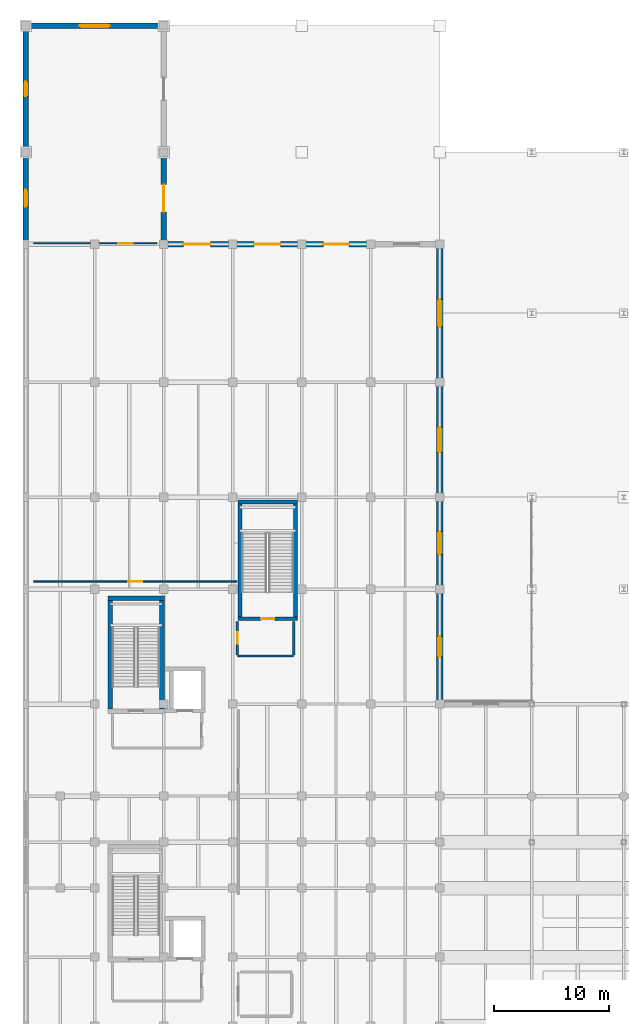
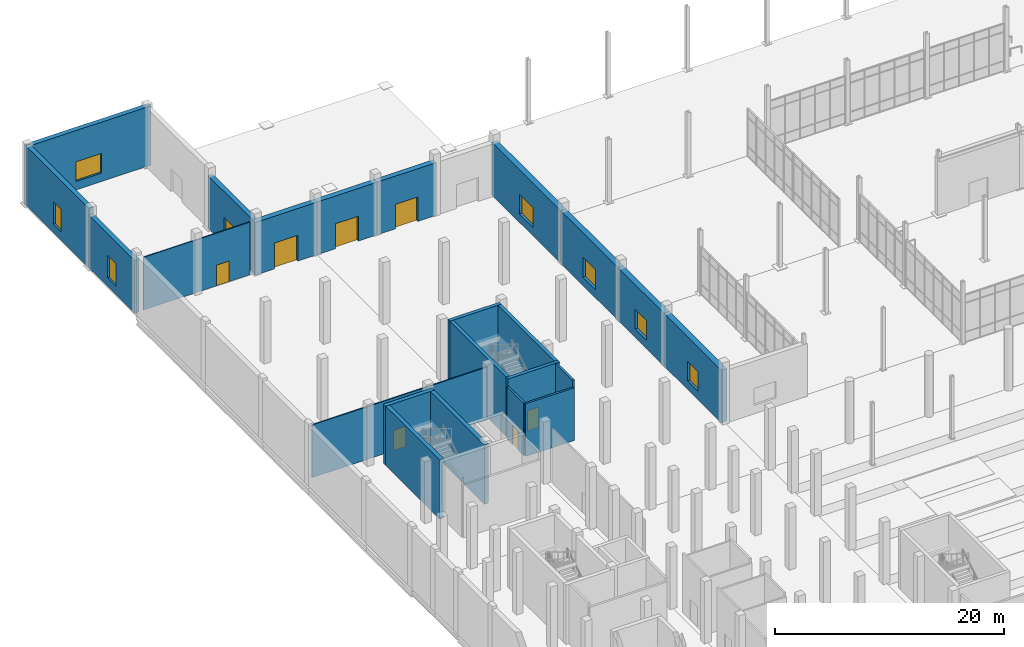
# One storey, part 123 of 140: 23 walls, 8 doors, 7 windows, 15 openings.
"""IFC4 building model written with IfcOpenShell, lengths in metres."""

from ifc_helpers import new_model, si_unit, direction, frame, frame_2d, origin, place, context, subcontext, project, spatial, rectangle, extrude, material, layer, layer_set, type_object, element, fill, save


model = new_model("IFC4")

# Units and contexts
model_context = context("Model", 3, precision=1e-05, world=origin(), true_north=direction((0.0, 1.0)))
body_context = subcontext(model_context, "Body", "Model", "MODEL_VIEW")
ifc_project = project(units=[si_unit("LENGTHUNIT", "METRE"), si_unit("AREAUNIT", "SQUARE_METRE"), si_unit("VOLUMEUNIT", "CUBIC_METRE"), si_unit("PLANEANGLEUNIT", "RADIAN"), si_unit("MASSUNIT", "GRAM", prefix="KILO")], contexts=[model_context])

# Site, building, storey
site_placement = place(None, origin())
site = spatial("IfcSite", under=ifc_project, at=site_placement, CompositionType="ELEMENT")
building_placement = place(site_placement, origin())
building = spatial("IfcBuilding", under=site, at=building_placement, Name="Verrall Gate Interchange", CompositionType="ELEMENT")
storey_placement = place(building_placement, origin())
storey = spatial("IfcBuildingStorey", under=building, at=storey_placement, Name="L01", CompositionType="ELEMENT", Elevation=0.0)

# Wall, opening, door
ifc_material_1 = material(Name="Tyndall Dolomitic Limestone Ashlar Cavity Assembly (U=0.18)", Category="masonry")
ifc_layer_1 = layer(ifc_material_1, 0.4599609375)
ifc_layer_set_1 = layer_set([ifc_layer_1], Name="Tyndall Dolomitic Limestone Ashlar Cavity Assembly (U=0.18)")
wall_type_1 = type_object("IfcWallType", Name="EW-02 Exterior Solid Wall 460", PredefinedType="SOLIDWALL", material=ifc_layer_set_1)
wall_1_placement = place(storey_placement, frame((12.0, 95.991943359375, 0.0), z_axis=(0.0, 0.0, 1.0), x_axis=(0.0, 1.0, 0.0)))
wall_1 = element("IfcWall", 1, at=wall_1_placement, inside=storey, type_object=wall_type_1, Name="L01 Classical Limestone Facade Wall 050", PredefinedType="SOLIDWALL", context=body_context, shape_type="SweptSolid", body=[
    extrude(rectangle(XDim=8.01611328125, YDim=0.4599609375, at=frame_2d((4.008056640625, 0.0))), origin(), (0.0, 0.0, 1.0), 5.60693359375),
])
opening_1_placement = place(wall_1_placement, frame((2.818115234375, 0.0, 0.0)))
opening_1 = element("IfcOpeningElement", 2, at=opening_1_placement, cuts=wall_1, Name="Opening E40", PredefinedType="OPENING", context=body_context, shape_type="SweptSolid", body=[
    extrude(rectangle(XDim=2.3798828125, YDim=2.85009765625, at=frame_2d((1.18994140625, 1.425048828125))), frame((0.0, 0.244873046875, 0.0), z_axis=(0.0, -1.0, 0.0), x_axis=(1.0, 0.0, 0.0)), (0.0, 0.0, 1.0), 0.48974609375),
])
ifc_material_2 = material(Name="Thermally Broken Bronze-Anodized Aluminium Entrance Assembly", Category="aluminium")
door_type_1 = type_object("IfcDoorType", Name="ED-08 Exterior Entrance Door 2380x2850", OperationType="NOTDEFINED", PredefinedType="DOOR", material=ifc_material_2)
door_1_placement = place(opening_1_placement, origin())
door_1 = element("IfcDoor", 3, at=door_1_placement, inside=storey, type_object=door_type_1, Name="Main Interchange Exit Portal E40", OperationType="DOUBLE_DOOR_SINGLE_SWING", OverallHeight=2.85009765625, OverallWidth=2.3798828125, PredefinedType="DOOR", context=body_context, shape_type="SweptSolid", body=[
    extrude(rectangle(XDim=2.3798828125, YDim=2.85009765625, at=frame_2d((1.18994140625, 1.425048828125))), frame((0.0, 0.02490234375, 0.0), z_axis=(0.0, -1.0, 0.0), x_axis=(1.0, 0.0, 0.0)), (0.0, 0.0, 1.0), 0.050048828125),
])
fill(opening_1, door_1)

# Wall, opening, window
wall_2_placement = place(storey_placement, frame((12.25, 115.0, 0.0), z_axis=(0.0, 0.0, 1.0), x_axis=(-1.0, 0.0, 0.0)))
wall_2 = element("IfcWall", 4, at=wall_2_placement, inside=storey, type_object=wall_type_1, Name="L01 Classical Limestone Facade Wall 052", PredefinedType="SOLIDWALL", context=body_context, shape_type="SweptSolid", body=[
    extrude(rectangle(XDim=12.5, YDim=0.4599609375, at=frame_2d((6.25, 0.0))), origin(), (0.0, 0.0, 1.0), 6.320068359375),
])
opening_2_placement = place(wall_2_placement, frame((4.949951171875, 0.0, 0.89990234375)))
opening_2 = element("IfcOpeningElement", 5, at=opening_2_placement, cuts=wall_2, Name="Opening WN-16", PredefinedType="OPENING", context=body_context, shape_type="SweptSolid", body=[
    extrude(rectangle(XDim=2.60009765625, YDim=2.10009765625, at=frame_2d((1.300048828125, 1.050048828125))), frame((0.0, 0.244873046875, 0.0), z_axis=(0.0, -1.0, 0.0), x_axis=(1.0, 0.0, 0.0)), (0.0, 0.0, 1.0), 0.48974609375),
])
ifc_material_3 = material(Name="Triple-Glazed Low-E Argon Bronze-Clad Window Unit (U=1.40)", Category="glass")
window_type_1 = type_object("IfcWindowType", Name="WN-16 Classical Deep-Reveal Window 2600x2100", PartitioningType="SINGLE_PANEL", PredefinedType="WINDOW", material=ifc_material_3)
window_1_placement = place(opening_2_placement, origin())
window_1 = element("IfcWindow", 6, at=window_1_placement, inside=storey, type_object=window_type_1, Name="L01 Classical Window 010 (WN-16)", OverallHeight=2.10009765625, OverallWidth=2.60009765625, PartitioningType="SINGLE_PANEL", PredefinedType="WINDOW", context=body_context, shape_type="SweptSolid", body=[
    extrude(rectangle(XDim=2.60009765625, YDim=2.10009765625, at=frame_2d((1.300048828125, 1.050048828125))), frame((0.0, 0.030029296875, 0.0), z_axis=(0.0, -1.0, 0.0), x_axis=(1.0, 0.0, 0.0)), (0.0, 0.0, 1.0), 0.06005859375),
])
fill(opening_2, window_1)

wall_3_placement = place(storey_placement, frame((0.0, 115.008056640625, 0.0), z_axis=(0.0, 0.0, 1.0), x_axis=(0.0, -1.0, 0.0)))
wall_3 = element("IfcWall", 7, at=wall_3_placement, inside=storey, type_object=wall_type_1, Name="L01 Classical Limestone Facade Wall 053", PredefinedType="SOLIDWALL", context=body_context, shape_type="SweptSolid", body=[
    extrude(rectangle(XDim=11.01611328125, YDim=0.4599609375, at=frame_2d((5.508056640625, 0.0))), origin(), (0.0, 0.0, 1.0), 6.320068359375),
])
opening_3_placement = place(wall_3_placement, frame((4.85791015625, 0.0, 0.89990234375)))
opening_3 = element("IfcOpeningElement", 8, at=opening_3_placement, cuts=wall_3, Name="Opening WN-17", PredefinedType="OPENING", context=body_context, shape_type="SweptSolid", body=[
    extrude(rectangle(XDim=1.300048828125, YDim=2.39990234375, at=frame_2d((0.64990234375, 1.199951171875))), frame((0.0, 0.244873046875, 0.0), z_axis=(0.0, -1.0, 0.0), x_axis=(1.0, 0.0, 0.0)), (0.0, 0.0, 1.0), 0.48974609375),
])
ifc_material_4 = material(Name="Triple-Glazed Low-E Argon Bronze-Clad Window Unit (U=1.40)", Category="glass")
window_type_2 = type_object("IfcWindowType", Name="WN-17 Classical Deep-Reveal Window 1300x2400", PartitioningType="SINGLE_PANEL", PredefinedType="WINDOW", material=ifc_material_4)
window_2_placement = place(opening_3_placement, origin())
window_2 = element("IfcWindow", 9, at=window_2_placement, inside=storey, type_object=window_type_2, Name="L01 Classical Window 011 (WN-17)", OverallHeight=2.39990234375, OverallWidth=1.300048828125, PartitioningType="SINGLE_PANEL", PredefinedType="WINDOW", context=body_context, shape_type="SweptSolid", body=[
    extrude(rectangle(XDim=1.300048828125, YDim=2.39990234375, at=frame_2d((0.64990234375, 1.199951171875))), frame((0.0, 0.030029296875, 0.0), z_axis=(0.0, -1.0, 0.0), x_axis=(1.0, 0.0, 0.0)), (0.0, 0.0, 1.0), 0.06005859375),
])
fill(opening_3, window_2)

wall_4_placement = place(storey_placement, frame((0.0, 104.008056640625, 0.0), z_axis=(0.0, 0.0, 1.0), x_axis=(0.0, -1.0, 0.0)))
wall_4 = element("IfcWall", 10, at=wall_4_placement, inside=storey, type_object=wall_type_1, Name="L01 Classical Limestone Facade Wall 054", PredefinedType="SOLIDWALL", context=body_context, shape_type="SweptSolid", body=[
    extrude(rectangle(XDim=8.01611328125, YDim=0.4599609375, at=frame_2d((4.008056640625, 0.0))), origin(), (0.0, 0.0, 1.0), 5.60693359375),
])
opening_4_placement = place(wall_4_placement, frame((3.258056640625, 0.0, 0.89990234375)))
opening_4 = element("IfcOpeningElement", 11, at=opening_4_placement, cuts=wall_4, Name="Opening WN-18", PredefinedType="OPENING", context=body_context, shape_type="SweptSolid", body=[
    extrude(rectangle(XDim=1.5, YDim=2.39990234375, at=frame_2d((0.75, 1.199951171875))), frame((0.0, 0.244873046875, 0.0), z_axis=(0.0, -1.0, 0.0), x_axis=(1.0, 0.0, 0.0)), (0.0, 0.0, 1.0), 0.48974609375),
])
ifc_material_5 = material(Name="Triple-Glazed Low-E Argon Bronze-Clad Window Unit (U=1.40)", Category="glass")
window_type_3 = type_object("IfcWindowType", Name="WN-18 Classical Deep-Reveal Window 1500x2400", PartitioningType="SINGLE_PANEL", PredefinedType="WINDOW", material=ifc_material_5)
window_3_placement = place(opening_4_placement, origin())
window_3 = element("IfcWindow", 12, at=window_3_placement, inside=storey, type_object=window_type_3, Name="L01 Classical Window 012 (WN-18)", OverallHeight=2.39990234375, OverallWidth=1.5, PartitioningType="SINGLE_PANEL", PredefinedType="WINDOW", context=body_context, shape_type="SweptSolid", body=[
    extrude(rectangle(XDim=1.5, YDim=2.39990234375, at=frame_2d((0.75, 1.199951171875))), frame((0.0, 0.030029296875, 0.0), z_axis=(0.0, -1.0, 0.0), x_axis=(1.0, 0.0, 0.0)), (0.0, 0.0, 1.0), 0.06005859375),
])
fill(opening_4, window_3)

# Wall, opening, door
ifc_material_6 = material(Name="Prairie Charcoal Granite Plinth Rainscreen Assembly (U=0.18)", Category="masonry")
ifc_layer_2 = layer(ifc_material_6, 0.52001953125)
ifc_layer_set_2 = layer_set([ifc_layer_2], Name="Prairie Charcoal Granite Plinth Rainscreen Assembly (U=0.18)")
wall_type_2 = type_object("IfcWallType", Name="EW-03 Exterior Solid Wall 520", PredefinedType="SOLIDWALL", material=ifc_layer_set_2)
wall_5_placement = place(storey_placement, frame((30.008056640625, 96.0, 0.0), z_axis=(0.0, 0.0, 1.0), x_axis=(-1.0, 0.0, 0.0)))
wall_5 = element("IfcWall", 13, at=wall_5_placement, inside=storey, type_object=wall_type_2, Name="L01 Classical Limestone Facade Wall 047", PredefinedType="SOLIDWALL", context=body_context, shape_type="SweptSolid", body=[
    extrude(rectangle(XDim=6.01611328125, YDim=0.52001953125, at=frame_2d((3.008056640625, 0.0))), origin(), (0.0, 0.0, 1.0), 5.60693359375),
])
opening_5_placement = place(wall_5_placement, frame((1.887939453125, 0.0, 0.0)))
opening_5 = element("IfcOpeningElement", 14, at=opening_5_placement, cuts=wall_5, Name="Opening E37", PredefinedType="OPENING", context=body_context, shape_type="SweptSolid", body=[
    extrude(rectangle(XDim=2.239990234375, YDim=2.60009765625, at=frame_2d((1.1201171875, 1.300048828125))), frame((0.0, 0.27490234375, 0.0), z_axis=(0.0, -1.0, 0.0), x_axis=(1.0, 0.0, 0.0)), (0.0, 0.0, 1.0), 0.5498046875),
])
ifc_material_7 = material(Name="Thermally Broken Bronze-Anodized Aluminium Entrance Assembly", Category="aluminium")
door_type_2 = type_object("IfcDoorType", Name="ED-05 Exterior Entrance Door 2240x2600", OperationType="NOTDEFINED", PredefinedType="DOOR", material=ifc_material_7)
door_2_placement = place(opening_5_placement, origin())
door_2 = element("IfcDoor", 15, at=door_2_placement, inside=storey, type_object=door_type_2, Name="Main Interchange Exit Portal E37", OperationType="DOUBLE_DOOR_SINGLE_SWING", OverallHeight=2.60009765625, OverallWidth=2.239990234375, PredefinedType="DOOR", context=body_context, shape_type="SweptSolid", body=[
    extrude(rectangle(XDim=2.239990234375, YDim=2.60009765625, at=frame_2d((1.1201171875, 1.300048828125))), frame((0.0, 0.02490234375, 0.0), z_axis=(0.0, -1.0, 0.0), x_axis=(1.0, 0.0, 0.0)), (0.0, 0.0, 1.0), 0.050048828125),
])
fill(opening_5, door_2)

wall_6_placement = place(storey_placement, frame((24.008056640625, 96.0, 0.0), z_axis=(0.0, 0.0, 1.0), x_axis=(-1.0, 0.0, 0.0)))
wall_6 = element("IfcWall", 16, at=wall_6_placement, inside=storey, type_object=wall_type_2, Name="L01 Classical Limestone Facade Wall 048", PredefinedType="SOLIDWALL", context=body_context, shape_type="SweptSolid", body=[
    extrude(rectangle(XDim=6.01611328125, YDim=0.52001953125, at=frame_2d((3.008056640625, 0.0))), origin(), (0.0, 0.0, 1.0), 5.60693359375),
])
opening_6_placement = place(wall_6_placement, frame((1.85791015625, 0.0, 0.0)))
opening_6 = element("IfcOpeningElement", 17, at=opening_6_placement, cuts=wall_6, Name="Opening E38", PredefinedType="OPENING", context=body_context, shape_type="SweptSolid", body=[
    extrude(rectangle(XDim=2.300048828125, YDim=2.64990234375, at=frame_2d((1.14990234375, 1.324951171875))), frame((0.0, 0.27490234375, 0.0), z_axis=(0.0, -1.0, 0.0), x_axis=(1.0, 0.0, 0.0)), (0.0, 0.0, 1.0), 0.5498046875),
])
ifc_material_8 = material(Name="Thermally Broken Bronze-Anodized Aluminium Entrance Assembly", Category="aluminium")
door_type_3 = type_object("IfcDoorType", Name="ED-06 Exterior Entrance Door 2300x2650", OperationType="NOTDEFINED", PredefinedType="DOOR", material=ifc_material_8)
door_3_placement = place(opening_6_placement, origin())
door_3 = element("IfcDoor", 18, at=door_3_placement, inside=storey, type_object=door_type_3, Name="Main Interchange Exit Portal E38", OperationType="DOUBLE_DOOR_SINGLE_SWING", OverallHeight=2.64990234375, OverallWidth=2.300048828125, PredefinedType="DOOR", context=body_context, shape_type="SweptSolid", body=[
    extrude(rectangle(XDim=2.300048828125, YDim=2.64990234375, at=frame_2d((1.14990234375, 1.324951171875))), frame((0.0, 0.02490234375, 0.0), z_axis=(0.0, -1.0, 0.0), x_axis=(1.0, 0.0, 0.0)), (0.0, 0.0, 1.0), 0.050048828125),
])
fill(opening_6, door_3)

wall_7_placement = place(storey_placement, frame((18.008056640625, 96.0, 0.0), z_axis=(0.0, 0.0, 1.0), x_axis=(-1.0, 0.0, 0.0)))
wall_7 = element("IfcWall", 19, at=wall_7_placement, inside=storey, type_object=wall_type_2, Name="L01 Classical Limestone Facade Wall 049", PredefinedType="SOLIDWALL", context=body_context, shape_type="SweptSolid", body=[
    extrude(rectangle(XDim=6.258056640625, YDim=0.52001953125, at=frame_2d((3.12890625, 0.0))), origin(), (0.0, 0.0, 1.0), 5.60693359375),
])
opening_7_placement = place(wall_7_placement, frame((1.958984375, 0.0, 0.0)))
opening_7 = element("IfcOpeningElement", 20, at=opening_7_placement, cuts=wall_7, Name="Opening E39", PredefinedType="OPENING", context=body_context, shape_type="SweptSolid", body=[
    extrude(rectangle(XDim=2.340087890625, YDim=2.75, at=frame_2d((1.169921875, 1.375))), frame((0.0, 0.27490234375, 0.0), z_axis=(0.0, -1.0, 0.0), x_axis=(1.0, 0.0, 0.0)), (0.0, 0.0, 1.0), 0.5498046875),
])
ifc_material_9 = material(Name="Thermally Broken Bronze-Anodized Aluminium Entrance Assembly", Category="aluminium")
door_type_4 = type_object("IfcDoorType", Name="ED-07 Exterior Entrance Door 2340x2750", OperationType="NOTDEFINED", PredefinedType="DOOR", material=ifc_material_9)
door_4_placement = place(opening_7_placement, origin())
door_4 = element("IfcDoor", 21, at=door_4_placement, inside=storey, type_object=door_type_4, Name="Main Interchange Exit Portal E39", OperationType="DOUBLE_DOOR_SINGLE_SWING", OverallHeight=2.75, OverallWidth=2.340087890625, PredefinedType="DOOR", context=body_context, shape_type="SweptSolid", body=[
    extrude(rectangle(XDim=2.340087890625, YDim=2.75, at=frame_2d((1.169921875, 1.375))), frame((0.0, 0.02490234375, 0.0), z_axis=(0.0, -1.0, 0.0), x_axis=(1.0, 0.0, 0.0)), (0.0, 0.0, 1.0), 0.050048828125),
])
fill(opening_7, door_4)

# Wall, opening, window
ifc_material_10 = material(Name="Tyndall Dolomitic Limestone Ashlar Cavity Assembly (U=0.18)", Category="masonry")
ifc_layer_3 = layer(ifc_material_10, 0.56005859375)
ifc_layer_set_3 = layer_set([ifc_layer_3], Name="Tyndall Dolomitic Limestone Ashlar Cavity Assembly (U=0.18)")
wall_type_3 = type_object("IfcWallType", Name="EW-04 Exterior Solid Wall 560", PredefinedType="SOLIDWALL", material=ifc_layer_set_3)
wall_8_placement = place(storey_placement, frame((36.0, 55.991943359375, 0.0), z_axis=(0.0, 0.0, 1.0), x_axis=(0.0, 1.0, 0.0)))
wall_8 = element("IfcWall", 22, at=wall_8_placement, inside=storey, type_object=wall_type_3, Name="L01 Classical Limestone Facade Wall 042", PredefinedType="SOLIDWALL", context=body_context, shape_type="SweptSolid", body=[
    extrude(rectangle(XDim=10.01611328125, YDim=0.56005859375, at=frame_2d((5.008056640625, 0.0))), origin(), (0.0, 0.0, 1.0), 5.60693359375),
])
opening_8_placement = place(wall_8_placement, frame((4.10791015625, 0.0, 0.89990234375)))
opening_8 = element("IfcOpeningElement", 23, at=opening_8_placement, cuts=wall_8, Name="Opening WN-12", PredefinedType="OPENING", context=body_context, shape_type="SweptSolid", body=[
    extrude(rectangle(XDim=1.800048828125, YDim=2.10009765625, at=frame_2d((0.89990234375, 1.050048828125))), frame((0.0, 0.294921875, 0.0), z_axis=(0.0, -1.0, 0.0), x_axis=(1.0, 0.0, 0.0)), (0.0, 0.0, 1.0), 0.58984375),
])
ifc_material_11 = material(Name="Triple-Glazed Low-E Argon Bronze-Clad Window Unit (U=1.40)", Category="glass")
window_type_4 = type_object("IfcWindowType", Name="WN-12 Classical Deep-Reveal Window 1800x2100", PartitioningType="SINGLE_PANEL", PredefinedType="WINDOW", material=ifc_material_11)
window_4_placement = place(opening_8_placement, origin())
window_4 = element("IfcWindow", 24, at=window_4_placement, inside=storey, type_object=window_type_4, Name="L01 Classical Window 006 (WN-12)", OverallHeight=2.10009765625, OverallWidth=1.800048828125, PartitioningType="SINGLE_PANEL", PredefinedType="WINDOW", context=body_context, shape_type="SweptSolid", body=[
    extrude(rectangle(XDim=1.800048828125, YDim=2.10009765625, at=frame_2d((0.89990234375, 1.050048828125))), frame((0.0, 0.030029296875, 0.0), z_axis=(0.0, -1.0, 0.0), x_axis=(1.0, 0.0, 0.0)), (0.0, 0.0, 1.0), 0.06005859375),
])
fill(opening_8, window_4)

wall_9_placement = place(storey_placement, frame((36.0, 65.991943359375, 0.0), z_axis=(0.0, 0.0, 1.0), x_axis=(0.0, 1.0, 0.0)))
wall_9 = element("IfcWall", 25, at=wall_9_placement, inside=storey, type_object=wall_type_3, Name="L01 Classical Limestone Facade Wall 043", PredefinedType="SOLIDWALL", context=body_context, shape_type="SweptSolid", body=[
    extrude(rectangle(XDim=8.01611328125, YDim=0.56005859375, at=frame_2d((4.008056640625, 0.0))), origin(), (0.0, 0.0, 1.0), 5.60693359375),
])
opening_9_placement = place(wall_9_placement, frame((3.008056640625, 0.0, 0.89990234375)))
opening_9 = element("IfcOpeningElement", 26, at=opening_9_placement, cuts=wall_9, Name="Opening WN-13", PredefinedType="OPENING", context=body_context, shape_type="SweptSolid", body=[
    extrude(rectangle(XDim=2.0, YDim=2.10009765625, at=frame_2d((1.0, 1.050048828125))), frame((0.0, 0.294921875, 0.0), z_axis=(0.0, -1.0, 0.0), x_axis=(1.0, 0.0, 0.0)), (0.0, 0.0, 1.0), 0.58984375),
])
ifc_material_12 = material(Name="Triple-Glazed Low-E Argon Bronze-Clad Window Unit (U=1.40)", Category="glass")
window_type_5 = type_object("IfcWindowType", Name="WN-13 Classical Deep-Reveal Window 2000x2100", PartitioningType="SINGLE_PANEL", PredefinedType="WINDOW", material=ifc_material_12)
window_5_placement = place(opening_9_placement, origin())
window_5 = element("IfcWindow", 27, at=window_5_placement, inside=storey, type_object=window_type_5, Name="L01 Classical Window 007 (WN-13)", OverallHeight=2.10009765625, OverallWidth=2.0, PartitioningType="SINGLE_PANEL", PredefinedType="WINDOW", context=body_context, shape_type="SweptSolid", body=[
    extrude(rectangle(XDim=2.0, YDim=2.10009765625, at=frame_2d((1.0, 1.050048828125))), frame((0.0, 0.030029296875, 0.0), z_axis=(0.0, -1.0, 0.0), x_axis=(1.0, 0.0, 0.0)), (0.0, 0.0, 1.0), 0.06005859375),
])
fill(opening_9, window_5)

wall_10_placement = place(storey_placement, frame((36.0, 73.991943359375, 0.0), z_axis=(0.0, 0.0, 1.0), x_axis=(0.0, 1.0, 0.0)))
wall_10 = element("IfcWall", 28, at=wall_10_placement, inside=storey, type_object=wall_type_3, Name="L01 Classical Limestone Facade Wall 044", PredefinedType="SOLIDWALL", context=body_context, shape_type="SweptSolid", body=[
    extrude(rectangle(XDim=10.01611328125, YDim=0.56005859375, at=frame_2d((5.008056640625, 0.0))), origin(), (0.0, 0.0, 1.0), 5.60693359375),
])
opening_10_placement = place(wall_10_placement, frame((3.907958984375, 0.0, 0.89990234375)))
opening_10 = element("IfcOpeningElement", 29, at=opening_10_placement, cuts=wall_10, Name="Opening WN-14", PredefinedType="OPENING", context=body_context, shape_type="SweptSolid", body=[
    extrude(rectangle(XDim=2.199951171875, YDim=2.10009765625, at=frame_2d((1.10009765625, 1.050048828125))), frame((0.0, 0.294921875, 0.0), z_axis=(0.0, -1.0, 0.0), x_axis=(1.0, 0.0, 0.0)), (0.0, 0.0, 1.0), 0.58984375),
])
ifc_material_13 = material(Name="Triple-Glazed Low-E Argon Bronze-Clad Window Unit (U=1.40)", Category="glass")
window_type_6 = type_object("IfcWindowType", Name="WN-14 Classical Deep-Reveal Window 2200x2100", PartitioningType="SINGLE_PANEL", PredefinedType="WINDOW", material=ifc_material_13)
window_6_placement = place(opening_10_placement, origin())
window_6 = element("IfcWindow", 30, at=window_6_placement, inside=storey, type_object=window_type_6, Name="L01 Classical Window 008 (WN-14)", OverallHeight=2.10009765625, OverallWidth=2.199951171875, PartitioningType="SINGLE_PANEL", PredefinedType="WINDOW", context=body_context, shape_type="SweptSolid", body=[
    extrude(rectangle(XDim=2.199951171875, YDim=2.10009765625, at=frame_2d((1.10009765625, 1.050048828125))), frame((0.0, 0.030029296875, 0.0), z_axis=(0.0, -1.0, 0.0), x_axis=(1.0, 0.0, 0.0)), (0.0, 0.0, 1.0), 0.06005859375),
])
fill(opening_10, window_6)

wall_11_placement = place(storey_placement, frame((36.0, 83.991943359375, 0.0), z_axis=(0.0, 0.0, 1.0), x_axis=(0.0, 1.0, 0.0)))
wall_11 = element("IfcWall", 31, at=wall_11_placement, inside=storey, type_object=wall_type_3, Name="L01 Classical Limestone Facade Wall 045", PredefinedType="SOLIDWALL", context=body_context, shape_type="SweptSolid", body=[
    extrude(rectangle(XDim=12.01611328125, YDim=0.56005859375, at=frame_2d((6.008056640625, 0.0))), origin(), (0.0, 0.0, 1.0), 5.60693359375),
])
opening_11_placement = place(wall_11_placement, frame((4.80810546875, 0.0, 0.89990234375)))
opening_11 = element("IfcOpeningElement", 32, at=opening_11_placement, cuts=wall_11, Name="Opening WN-15", PredefinedType="OPENING", context=body_context, shape_type="SweptSolid", body=[
    extrude(rectangle(XDim=2.39990234375, YDim=2.10009765625, at=frame_2d((1.199951171875, 1.050048828125))), frame((0.0, 0.294921875, 0.0), z_axis=(0.0, -1.0, 0.0), x_axis=(1.0, 0.0, 0.0)), (0.0, 0.0, 1.0), 0.58984375),
])
ifc_material_14 = material(Name="Triple-Glazed Low-E Argon Bronze-Clad Window Unit (U=1.40)", Category="glass")
window_type_7 = type_object("IfcWindowType", Name="WN-15 Classical Deep-Reveal Window 2400x2100", PartitioningType="SINGLE_PANEL", PredefinedType="WINDOW", material=ifc_material_14)
window_7_placement = place(opening_11_placement, origin())
window_7 = element("IfcWindow", 33, at=window_7_placement, inside=storey, type_object=window_type_7, Name="L01 Classical Window 009 (WN-15)", OverallHeight=2.10009765625, OverallWidth=2.39990234375, PartitioningType="SINGLE_PANEL", PredefinedType="WINDOW", context=body_context, shape_type="SweptSolid", body=[
    extrude(rectangle(XDim=2.39990234375, YDim=2.10009765625, at=frame_2d((1.199951171875, 1.050048828125))), frame((0.0, 0.030029296875, 0.0), z_axis=(0.0, -1.0, 0.0), x_axis=(1.0, 0.0, 0.0)), (0.0, 0.0, 1.0), 0.06005859375),
])
fill(opening_11, window_7)

# Wall
ifc_material_15 = material(Name="Fire-Rated Type X Gypsum Stud Partition Assembly (60 min)", Category="gypsum")
ifc_layer_4 = layer(ifc_material_15, 0.199951171875)
ifc_layer_set_4 = layer_set([ifc_layer_4], Name="Fire-Rated Type X Gypsum Stud Partition Assembly (60 min)")
wall_type_4 = type_object("IfcWallType", Name="IW-01 Interior Partition Wall 200", PredefinedType="PARTITIONING", material=ifc_layer_set_4)
wall_12_placement = place(storey_placement, frame((18.39990234375, 60.199951171875, 0.0), z_axis=(0.0, 0.0, 1.0), x_axis=(1.0, 0.0, 0.0)))
element("IfcWall", 34, at=wall_12_placement, inside=storey, type_object=wall_type_4, Name="L01 Core C4 Lobby South Rated Wall", PredefinedType="PARTITIONING", context=body_context, shape_type="SweptSolid", body=[
    extrude(rectangle(XDim=4.900146484375, YDim=0.199951171875, at=frame_2d((2.4501953125, 0.0))), origin(), (0.0, 0.0, 1.0), 5.60693359375),
])

# Wall, opening, door
wall_13_placement = place(storey_placement, frame((18.39990234375, 63.199951171875, 0.0), z_axis=(0.0, 0.0, 1.0), x_axis=(0.0, -1.0, 0.0)))
wall_13 = element("IfcWall", 35, at=wall_13_placement, inside=storey, type_object=wall_type_4, Name="L01 Core C4 Lobby West Rated Wall", PredefinedType="PARTITIONING", context=body_context, shape_type="SweptSolid", body=[
    extrude(rectangle(XDim=2.919921875, YDim=0.199951171875, at=frame_2d((1.4599609375, 0.0))), origin(), (0.0, 0.0, 1.0), 5.60693359375),
])
opening_12_placement = place(wall_13_placement, frame((0.9599609375, 0.0, 0.0)))
opening_12 = element("IfcOpeningElement", 36, at=opening_12_placement, cuts=wall_13, Name="Opening LBD059", PredefinedType="OPENING", context=body_context, shape_type="SweptSolid", body=[
    extrude(rectangle(XDim=1.0, YDim=2.14990234375, at=frame_2d((0.5, 1.074951171875))), frame((0.0, 0.11474609375, 0.0), z_axis=(0.0, -1.0, 0.0), x_axis=(1.0, 0.0, 0.0)), (0.0, 0.0, 1.0), 0.229736328125),
])
ifc_material_16 = material(Name="Hollow-Metal Fire-Rated Door Assembly", Category="metal")
door_type_5 = type_object("IfcDoorType", Name="ID-05 Interior Swing Door 1000x2150", OperationType="NOTDEFINED", PredefinedType="DOOR", material=ifc_material_16)
door_5_placement = place(opening_12_placement, origin())
door_5 = element("IfcDoor", 37, at=door_5_placement, inside=storey, type_object=door_type_5, Name="L01 Core C4 Lobby Fire Door LBD059", OperationType="SINGLE_SWING_LEFT", OverallHeight=2.14990234375, OverallWidth=1.0, PredefinedType="DOOR", context=body_context, shape_type="SweptSolid", body=[
    extrude(rectangle(XDim=1.0, YDim=2.14990234375, at=frame_2d((0.5, 1.074951171875))), frame((0.0, 0.02490234375, 0.0), z_axis=(0.0, -1.0, 0.0), x_axis=(1.0, 0.0, 0.0)), (0.0, 0.0, 1.0), 0.050048828125),
])
fill(opening_12, door_5)

# Wall
wall_14_placement = place(storey_placement, frame((23.300048828125, 60.280029296875, 0.0), z_axis=(0.0, 0.0, 1.0), x_axis=(0.0, 1.0, 0.0)))
element("IfcWall", 38, at=wall_14_placement, inside=storey, type_object=wall_type_4, Name="L01 Core C4 Lobby East Rated Wall", PredefinedType="PARTITIONING", context=body_context, shape_type="SweptSolid", body=[
    extrude(rectangle(XDim=2.919921875, YDim=0.199951171875, at=frame_2d((1.4599609375, 0.0))), origin(), (0.0, 0.0, 1.0), 6.320068359375),
])

# Wall, opening, door
ifc_material_17 = material(Name="Acoustic Steel-Stud Partition Assembly", Category="steel")
ifc_layer_5 = layer(ifc_material_17, 0.1201171875)
ifc_layer_set_5 = layer_set([ifc_layer_5], Name="Acoustic Steel-Stud Partition Assembly")
wall_type_5 = type_object("IfcWallType", Name="IW-04 Interior Partition Wall 120", PredefinedType="PARTITIONING", material=ifc_layer_set_5)
wall_15_placement = place(storey_placement, frame((18.340087890625, 66.679931640625, 0.0), z_axis=(0.0, 0.0, 1.0), x_axis=(-1.0, 0.0, 0.0)))
wall_15 = element("IfcWall", 39, at=wall_15_placement, inside=storey, type_object=wall_type_5, Name="L01 Receiving and Waste Handling Plant Partition 033", PredefinedType="PARTITIONING", context=body_context, shape_type="SweptSolid", body=[
    extrude(rectangle(XDim=17.66015625, YDim=0.1201171875, at=frame_2d((8.830078125, 0.0))), origin(), (0.0, 0.0, 1.0), 5.60693359375),
])
opening_13_placement = place(wall_15_placement, frame((8.22998046875, 0.0, 0.0)))
opening_13 = element("IfcOpeningElement", 40, at=opening_13_placement, cuts=wall_15, Name="Opening D026", PredefinedType="OPENING", context=body_context, shape_type="SweptSolid", body=[
    extrude(rectangle(XDim=1.199951171875, YDim=2.14990234375, at=frame_2d((0.60009765625, 1.074951171875))), frame((0.0, 0.074951171875, 0.0), z_axis=(0.0, -1.0, 0.0), x_axis=(1.0, 0.0, 0.0)), (0.0, 0.0, 1.0), 0.14990234375),
])
ifc_material_18 = material(Name="Architectural Solid-Core Birch Acoustic Door Assembly", Category="wood")
door_type_6 = type_object("IfcDoorType", Name="ID-15 Interior Swing Door 1200x2150", OperationType="NOTDEFINED", PredefinedType="DOOR", material=ifc_material_18)
door_6_placement = place(opening_13_placement, origin())
door_6 = element("IfcDoor", 41, at=door_6_placement, inside=storey, type_object=door_type_6, Name="L01 Receiving and Waste Handling Plant Door D026", OperationType="SINGLE_SWING_LEFT", OverallHeight=2.14990234375, OverallWidth=1.199951171875, PredefinedType="DOOR", context=body_context, shape_type="SweptSolid", body=[
    extrude(rectangle(XDim=1.199951171875, YDim=2.14990234375, at=frame_2d((0.60009765625, 1.074951171875))), frame((0.0, 0.02490234375, 0.0), z_axis=(0.0, -1.0, 0.0), x_axis=(1.0, 0.0, 0.0)), (0.0, 0.0, 1.0), 0.050048828125),
])
fill(opening_13, door_6)

ifc_material_19 = material(Name="Acoustic Steel-Stud Partition Assembly", Category="steel")
ifc_layer_6 = layer(ifc_material_19, 0.10009765625)
ifc_layer_set_6 = layer_set([ifc_layer_6], Name="Acoustic Steel-Stud Partition Assembly")
wall_type_6 = type_object("IfcWallType", Name="IW-05 Interior Partition Wall 100", PredefinedType="PARTITIONING", material=ifc_layer_set_6)
wall_16_placement = place(storey_placement, frame((11.38916015625, 96.080078125, 0.0), z_axis=(0.0, 0.0, 1.0), x_axis=(-1.0, 0.0, 0.0)))
wall_16 = element("IfcWall", 42, at=wall_16_placement, inside=storey, type_object=wall_type_6, Name="L01 North Gate Bus Dispatch Office Partition 034", PredefinedType="PARTITIONING", context=body_context, shape_type="SweptSolid", body=[
    extrude(rectangle(XDim=10.709228515625, YDim=0.10009765625, at=frame_2d((5.3544921875, 0.0))), origin(), (0.0, 0.0, 1.0), 5.60693359375),
])
opening_14_placement = place(wall_16_placement, frame((2.074462890625, 0.0, 0.0)))
opening_14 = element("IfcOpeningElement", 43, at=opening_14_placement, cuts=wall_16, Name="Opening D027", PredefinedType="OPENING", context=body_context, shape_type="SweptSolid", body=[
    extrude(rectangle(XDim=1.280029296875, YDim=2.199951171875, at=frame_2d((0.64013671875, 1.10009765625))), frame((0.0, 0.06494140625, 0.0), z_axis=(0.0, -1.0, 0.0), x_axis=(1.0, 0.0, 0.0)), (0.0, 0.0, 1.0), 0.1298828125),
])
ifc_material_20 = material(Name="Architectural Solid-Core Birch Acoustic Door Assembly", Category="wood")
door_type_7 = type_object("IfcDoorType", Name="ID-16 Interior Swing Door 1280x2200", OperationType="NOTDEFINED", PredefinedType="DOOR", material=ifc_material_20)
door_7_placement = place(opening_14_placement, origin())
door_7 = element("IfcDoor", 44, at=door_7_placement, inside=storey, type_object=door_type_7, Name="L01 North Gate Bus Dispatch Office Door D027", OperationType="SINGLE_SWING_RIGHT", OverallHeight=2.199951171875, OverallWidth=1.280029296875, PredefinedType="DOOR", context=body_context, shape_type="SweptSolid", body=[
    extrude(rectangle(XDim=1.280029296875, YDim=2.199951171875, at=frame_2d((0.64013671875, 1.10009765625))), frame((0.0, 0.02490234375, 0.0), z_axis=(0.0, -1.0, 0.0), x_axis=(1.0, 0.0, 0.0)), (0.0, 0.0, 1.0), 0.050048828125),
])
fill(opening_14, door_7)

# Walls
ifc_material_21 = material(Name="Concrete CSA A23.1 40 MPa (Class N)", Category="concrete")
ifc_layer_7 = layer(ifc_material_21, 0.39990234375)
ifc_layer_set_7 = layer_set([ifc_layer_7], Name="Concrete CSA A23.1 40 MPa (Class N)")
wall_type_7 = type_object("IfcWallType", Name="SW-01 Core Shear Wall 400", PredefinedType="SHEAR", material=ifc_layer_set_7)
wall_17_placement = place(storey_placement, frame((12.050048828125, 65.199951171875, 0.0), z_axis=(0.0, 0.0, 1.0), x_axis=(-1.0, 0.0, 0.0)))
element("IfcWall", 45, at=wall_17_placement, inside=storey, type_object=wall_type_7, Name="L01 Core C3 North Shear Wall", PredefinedType="SHEAR", context=body_context, shape_type="SweptSolid", body=[
    extrude(rectangle(XDim=4.900146484375, YDim=0.39990234375, at=frame_2d((2.4501953125, 0.0))), origin(), (0.0, 0.0, 1.0), 6.320068359375),
])
for number, where, z_axis, x_axis, name in (
    (46, (7.35009765625, 65.0, 0.0), (0.0, 0.0, 1.0), (0.0, -1.0, 0.0), "L01 Core C3 West Shear Wall"),
    (47, (11.85009765625, 55.60009765625, 0.0), (0.0, 0.0, 1.0), (0.0, 1.0, 0.0), "L01 Core C3 East Shear Wall"),
):
    element("IfcWall", number, at=place(storey_placement, frame(where, z_axis=z_axis, x_axis=x_axis)), inside=storey, type_object=wall_type_7, Name=name, PredefinedType="SHEAR", context=body_context, shape_type="SweptSolid", body=[
        extrude(rectangle(XDim=9.39990234375, YDim=0.39990234375, at=frame_2d((4.699951171875, 0.0))), origin(), (0.0, 0.0, 1.0), 6.320068359375),
    ])

# Wall, opening, door
ifc_material_22 = material(Name="Concrete CSA A23.1 40 MPa (Class N)", Category="concrete")
ifc_layer_8 = layer(ifc_material_22, 0.340087890625)
ifc_layer_set_8 = layer_set([ifc_layer_8], Name="Concrete CSA A23.1 40 MPa (Class N)")
wall_type_8 = type_object("IfcWallType", Name="SW-02 Core Shear Wall 340", PredefinedType="SHEAR", material=ifc_layer_set_8)
wall_18_placement = place(storey_placement, frame((18.4599609375, 63.429931640625, 0.0), z_axis=(0.0, 0.0, 1.0), x_axis=(1.0, 0.0, 0.0)))
wall_18 = element("IfcWall", 48, at=wall_18_placement, inside=storey, type_object=wall_type_8, Name="L01 Core C4 South Shear Wall", PredefinedType="SHEAR", context=body_context, shape_type="SweptSolid", body=[
    extrude(rectangle(XDim=5.179931640625, YDim=0.340087890625, at=frame_2d((2.58984375, 0.0))), origin(), (0.0, 0.0, 1.0), 6.320068359375),
])
opening_15_placement = place(wall_18_placement, frame((2.014892578125, 0.0, 0.0)))
opening_15 = element("IfcOpeningElement", 49, at=opening_15_placement, cuts=wall_18, Name="Opening SD053", PredefinedType="OPENING", context=body_context, shape_type="SweptSolid", body=[
    extrude(rectangle(XDim=1.14990234375, YDim=2.14990234375, at=frame_2d((0.574951171875, 1.074951171875))), frame((0.0, 0.18505859375, 0.0), z_axis=(0.0, -1.0, 0.0), x_axis=(1.0, 0.0, 0.0)), (0.0, 0.0, 1.0), 0.369873046875),
])
ifc_material_23 = material(Name="Hollow-Metal Fire-Rated Door Assembly", Category="metal")
door_type_8 = type_object("IfcDoorType", Name="ID-02 Interior Swing Door 1150x2150", OperationType="NOTDEFINED", PredefinedType="DOOR", material=ifc_material_23)
door_8_placement = place(opening_15_placement, origin())
door_8 = element("IfcDoor", 50, at=door_8_placement, inside=storey, type_object=door_type_8, Name="L01 Stair ST-04 Fire Door SD053", OperationType="SINGLE_SWING_LEFT", OverallHeight=2.14990234375, OverallWidth=1.14990234375, PredefinedType="DOOR", context=body_context, shape_type="SweptSolid", body=[
    extrude(rectangle(XDim=1.14990234375, YDim=2.14990234375, at=frame_2d((0.574951171875, 1.074951171875))), frame((0.0, 0.02490234375, 0.0), z_axis=(0.0, -1.0, 0.0), x_axis=(1.0, 0.0, 0.0)), (0.0, 0.0, 1.0), 0.050048828125),
])
fill(opening_15, door_8)

# Walls
wall_19_placement = place(storey_placement, frame((23.639892578125, 73.570068359375, 0.0), z_axis=(0.0, 0.0, 1.0), x_axis=(-1.0, 0.0, 0.0)))
element("IfcWall", 51, at=wall_19_placement, inside=storey, type_object=wall_type_8, Name="L01 Core C4 North Shear Wall", PredefinedType="SHEAR", context=body_context, shape_type="SweptSolid", body=[
    extrude(rectangle(XDim=5.179931640625, YDim=0.340087890625, at=frame_2d((2.58984375, 0.0))), origin(), (0.0, 0.0, 1.0), 6.320068359375),
])
for number, where, z_axis, x_axis, name in (
    (52, (18.6298828125, 73.39990234375, 0.0), (0.0, 0.0, 1.0), (0.0, -1.0, 0.0), "L01 Core C4 West Shear Wall"),
    (53, (23.469970703125, 63.60009765625, 0.0), (0.0, 0.0, 1.0), (0.0, 1.0, 0.0), "L01 Core C4 East Shear Wall"),
):
    element("IfcWall", number, at=place(storey_placement, frame(where, z_axis=z_axis, x_axis=x_axis)), inside=storey, type_object=wall_type_8, Name=name, PredefinedType="SHEAR", context=body_context, shape_type="SweptSolid", body=[
        extrude(rectangle(XDim=9.7998046875, YDim=0.340087890625, at=frame_2d((4.89990234375, 0.0))), origin(), (0.0, 0.0, 1.0), 6.320068359375),
    ])

save(model, "model.ifc")
